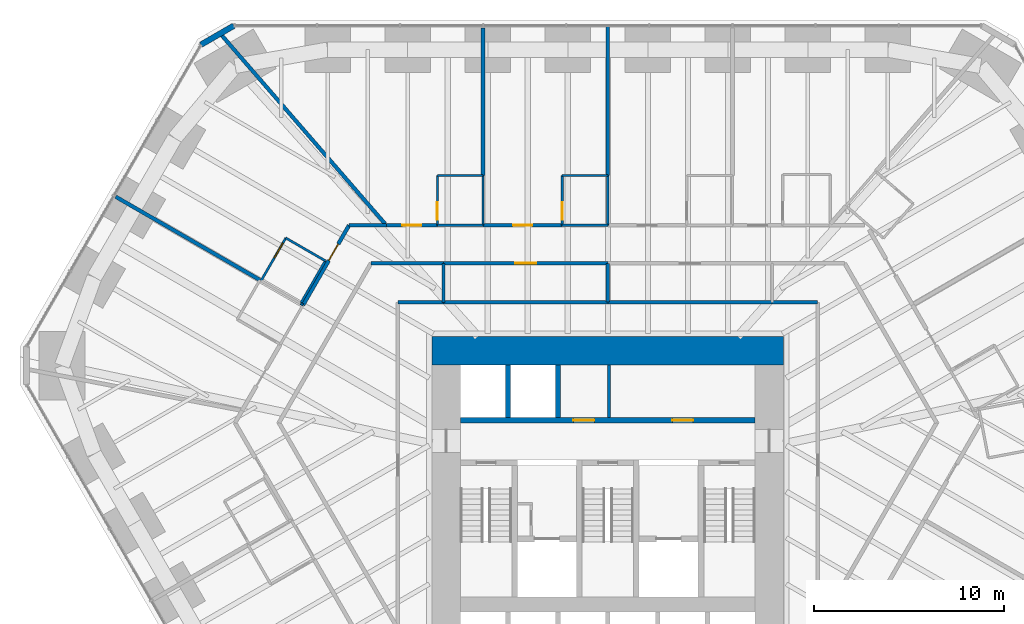
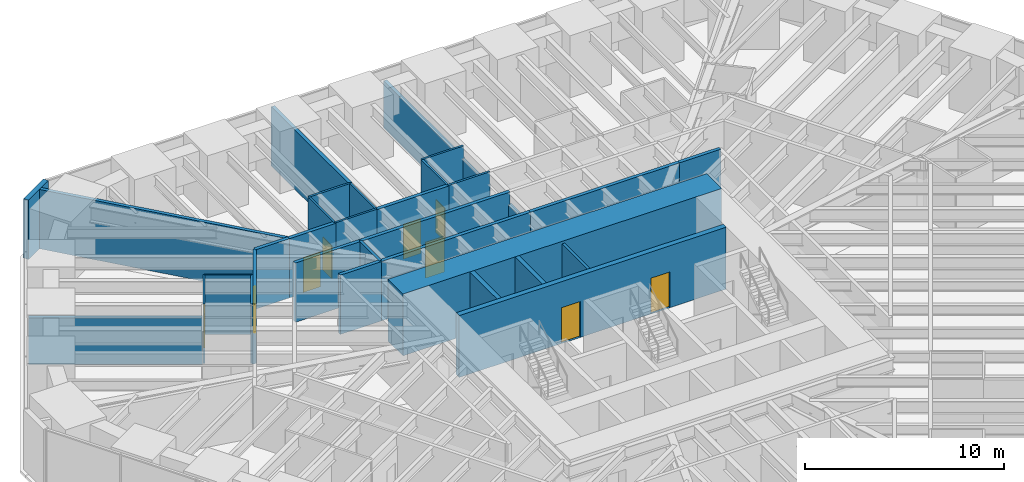
# One storey, part 14 of 17: 34 walls, 9 doors, 9 openings.
"""IFC4 building model written with IfcOpenShell, lengths in metres."""

import ifcopenshell
import ifcopenshell.guid

model = None  # the IFC model being written
_history = None  # IfcOwnerHistory: only IFC2X3 demands one
_inside = {}  # id of a spatial element -> (the spatial element, [elements in it])
_under = {}  # id of a project, library or spatial element -> (it, [spatial elements below it])
_declared = {}  # id of a project -> (the project, [libraries it declares])
_typed = {}  # id of a type object -> (the type object, [elements of that type])
_made_of = {}  # id of a material, layer set ... -> (it, [elements and type objects made of it])


def new_model(schema):
    """Start an empty IFC model of exactly this schema.

    Asked for "IFC4X3", IfcOpenShell would pick the latest addendum, in which some entities
    have other attributes; the version numbers below select the first issue.
    IFC2X3 requires an IfcOwnerHistory on every rooted entity: one is made here for all.
    """
    global model, _history
    if schema == "IFC4X3":
        model = ifcopenshell.file(schema_version=(4, 3, 0, 0))
    else:
        model = ifcopenshell.file(schema=schema)
    _inside.clear()
    _under.clear()
    _declared.clear()
    _typed.clear()
    _made_of.clear()
    _history = None
    if model.schema == "IFC2X3":
        org = make("IfcOrganization", Name="unknown")
        user = make(
            "IfcPersonAndOrganization",
            ThePerson=make("IfcPerson", FamilyName="unknown"),
            TheOrganization=org,
        )
        app = make(
            "IfcApplication",
            ApplicationDeveloper=org,
            Version="unknown",
            ApplicationFullName="unknown",
            ApplicationIdentifier="unknown",
        )
        _history = make(
            "IfcOwnerHistory",
            OwningUser=user,
            OwningApplication=app,
            ChangeAction="ADDED",
            CreationDate=0,
        )
    return model


def make(cls, **values):
    """One entity of the class cls with the attributes given. An attribute that is None is left unset."""
    return model.create_entity(
        cls, **{name: value for name, value in values.items() if value is not None}
    )


def rooted(cls, **values):
    """An entity with a GlobalId (a new one), such as an element, a storey or a relation."""
    return make(cls, GlobalId=ifcopenshell.guid.new(), OwnerHistory=_history, **values)


def si_unit(unit_type, name, prefix=None):
    """IfcSIUnit, for example si_unit("LENGTHUNIT", "METRE", prefix="MILLI")."""
    return make("IfcSIUnit", UnitType=unit_type, Prefix=prefix, Name=name)


def assignment(units):
    """IfcUnitAssignment: the units of a project."""
    return None if units is None else make("IfcUnitAssignment", Units=units)


def point(xyz):
    """IfcCartesianPoint."""
    return None if xyz is None else make("IfcCartesianPoint", Coordinates=xyz)


def direction(xyz):
    """IfcDirection."""
    return None if xyz is None else make("IfcDirection", DirectionRatios=xyz)


def frame(location, z_axis=None, x_axis=None):
    """IfcAxis2Placement3D, a coordinate frame: its origin and axes. An axis left out is left unset."""
    return make(
        "IfcAxis2Placement3D",
        Location=point(location),
        Axis=direction(z_axis),
        RefDirection=direction(x_axis),
    )


def frame_2d(location, x_axis=None):
    """IfcAxis2Placement2D, a coordinate frame in the plane: its origin and x axis."""
    return make(
        "IfcAxis2Placement2D", Location=point(location), RefDirection=direction(x_axis)
    )


def origin():
    """The frame at (0, 0, 0) with its axes left unset."""
    return frame((0.0, 0.0, 0.0))


def place(relative_to, where):
    """IfcLocalPlacement: puts the frame where relative to a parent placement (None: the world)."""
    return make(
        "IfcLocalPlacement", PlacementRelTo=relative_to, RelativePlacement=where
    )


def context(
    kind, dimensions, precision=None, world=None, true_north=None, identifier=None
):
    """IfcGeometricRepresentationContext, for example the 3D "Model" context."""
    return make(
        "IfcGeometricRepresentationContext",
        ContextIdentifier=identifier,
        ContextType=kind,
        CoordinateSpaceDimension=dimensions,
        Precision=precision,
        WorldCoordinateSystem=world,
        TrueNorth=true_north,
    )


def subcontext(parent, identifier, kind, view, scale=None):
    """IfcGeometricRepresentationSubContext, for example "Body" below "Model"."""
    return make(
        "IfcGeometricRepresentationSubContext",
        ContextIdentifier=identifier,
        ContextType=kind,
        ParentContext=parent,
        TargetScale=scale,
        TargetView=view,
    )


def project(units=None, contexts=None):
    """IfcProject with its units and contexts."""
    return rooted(
        "IfcProject",
        Name="project",
        RepresentationContexts=contexts,
        UnitsInContext=assignment(units),
    )


def spatial(cls, under=None, at=None, **own):
    """A site, building, storey or space (cls), placed at a placement, below another one or the project."""
    s = rooted(cls, ObjectPlacement=at, **own)
    if under is not None:
        _under.setdefault(under.id(), (under, []))[1].append(s)
    return s


def profile(cls, at=None, kind="AREA", **sizes):
    """A parametric profile (cls). Its sizes go by their IFC names, for example OverallWidth=200.0."""
    return make(cls, ProfileType=kind, Position=at, **sizes)


def rectangle(**sizes):
    """IfcRectangleProfileDef."""
    return profile("IfcRectangleProfileDef", **sizes)


def extrude(swept, where, along, depth):
    """IfcExtrudedAreaSolid: the profile swept, set in the frame where, extruded along a direction by depth."""
    return make(
        "IfcExtrudedAreaSolid",
        SweptArea=swept,
        Position=where,
        ExtrudedDirection=direction(along),
        Depth=depth,
    )


def shape(context_of_items, identifier, shape_type, items):
    """IfcShapeRepresentation: the items that make up one representation, for example the "Body"."""
    return make(
        "IfcShapeRepresentation",
        ContextOfItems=context_of_items,
        RepresentationIdentifier=identifier,
        RepresentationType=shape_type,
        Items=items,
    )


def material(Name=None, Category=None):
    """IfcMaterial."""
    return make("IfcMaterial", Name=Name, Category=Category)


def layer(
    of_material, thickness, ventilated=None, Name=None, Category=None, Priority=None
):
    """IfcMaterialLayer: one layer of a wall or slab, of a material (None: an air gap)."""
    return make(
        "IfcMaterialLayer",
        Material=of_material,
        LayerThickness=thickness,
        IsVentilated=ventilated,
        Name=Name,
        Category=Category,
        Priority=Priority,
    )


def layer_set(layers, Name=None):
    """IfcMaterialLayerSet."""
    return make("IfcMaterialLayerSet", MaterialLayers=layers, LayerSetName=Name)


def made_of(thing, what):
    """Note that an element or type object is made of a material, layer set ...; save() writes the relation."""
    if what is not None:
        _made_of.setdefault(what.id(), (what, []))[1].append(thing)
    return thing


def type_object(cls, material=None, **own):
    """A type object (cls), such as IfcWallType, which elements share."""
    return made_of(rooted(cls, **own), material)


def element(
    cls,
    number,
    at=None,
    inside=None,
    cuts=None,
    type_object=None,
    material=None,
    context=None,
    identifier="Body",
    shape_type=None,
    held_by="IfcProductDefinitionShape",
    body=None,
    shapes=None,
    **own,
):
    """One element of the class cls, such as IfcWall. Its Tag is "e" and its number.

    at: its placement. inside: the storey or other place that contains it. cuts: it is an
    opening in that element (IfcRelVoidsElement). A single representation is given by context,
    identifier, shape_type and body (its items); several are given by shapes. held_by: the class
    of the entity that holds the representations. save() writes the other relations.
    """
    e = rooted(cls, Tag="e%d" % number, ObjectPlacement=at, **own)
    if body is not None:
        shapes = [shape(context, identifier, shape_type, body)]
    if shapes is not None:
        e.Representation = make(held_by, Representations=shapes)
    if inside is not None:
        _inside.setdefault(inside.id(), (inside, []))[1].append(e)
    if cuts is not None:
        rooted(
            "IfcRelVoidsElement", RelatingBuildingElement=cuts, RelatedOpeningElement=e
        )
    if type_object is not None:
        _typed.setdefault(type_object.id(), (type_object, []))[1].append(e)
    return made_of(e, material)


def fill(opening, filler):
    """IfcRelFillsElement: the door or window that sits in an opening."""
    return rooted(
        "IfcRelFillsElement",
        RelatingOpeningElement=opening,
        RelatedBuildingElement=filler,
    )


def aggregate(whole, parts):
    """IfcRelAggregates: a whole, such as a stair, and the parts it consists of."""
    return rooted("IfcRelAggregates", RelatingObject=whole, RelatedObjects=parts)


def save(model, path):
    """Write the relations noted so far, then the file.

    IfcRelAggregates (storeys below a building ...), IfcRelContainedInSpatialStructure (elements
    in a storey), IfcRelDefinesByType, IfcRelAssociatesMaterial and IfcRelDeclares: one each for
    every whole, place, type object, material and project.
    """
    for whole, parts in _under.values():
        aggregate(whole, parts)
    for where, things in _inside.values():
        rooted(
            "IfcRelContainedInSpatialStructure",
            RelatedElements=things,
            RelatingStructure=where,
        )
    for kind, things in _typed.values():
        rooted("IfcRelDefinesByType", RelatedObjects=things, RelatingType=kind)
    for what, things in _made_of.values():
        rooted("IfcRelAssociatesMaterial", RelatedObjects=things, RelatingMaterial=what)
    for by, libraries in _declared.values():
        rooted("IfcRelDeclares", RelatingContext=by, RelatedDefinitions=libraries)
    model.write(path)


model = new_model("IFC4")

# Units and contexts
model_context = context("Model", 3, precision=1e-05, world=origin(), true_north=direction((0.0, 1.0)))
body_context = subcontext(model_context, "Body", "Model", "MODEL_VIEW")
ifc_project = project(units=[si_unit("LENGTHUNIT", "METRE"), si_unit("AREAUNIT", "SQUARE_METRE"), si_unit("VOLUMEUNIT", "CUBIC_METRE"), si_unit("PLANEANGLEUNIT", "RADIAN"), si_unit("MASSUNIT", "GRAM", prefix="KILO")], contexts=[model_context])

# Site, building, storey
site_placement = place(None, origin())
site = spatial("IfcSite", under=ifc_project, at=site_placement, CompositionType="ELEMENT")
building_placement = place(site_placement, origin())
building = spatial("IfcBuilding", under=site, at=building_placement, Name="Sandreach Pilgrim Tower", CompositionType="ELEMENT")
storey_placement = place(building_placement, frame((0.0, 0.0, 49.60009765625)))
storey = spatial("IfcBuildingStorey", under=building, at=storey_placement, Name="L11", CompositionType="ELEMENT", Elevation=49.60009765625)

# Walls
ifc_material_1 = material(Name="Gypsum board on steel studs", Category="steel")
ifc_layer_1 = layer(ifc_material_1, 0.14990234375)
ifc_layer_set_1 = layer_set([ifc_layer_1], Name="Back of house wall 150")
wall_type_1 = type_object("IfcWallType", Name="Back of house wall 150", PredefinedType="PARTITIONING", material=ifc_layer_set_1)
wall_1_placement = place(storey_placement, frame((-8.64990234375, 11.449951171875, 0.0), z_axis=(0.0, 0.0, 1.0), x_axis=(0.0, -1.0, 0.0)))
element("IfcWall", 1, at=wall_1_placement, inside=storey, type_object=wall_type_1, Name="Back of house wall L11-041", PredefinedType="PARTITIONING", context=body_context, shape_type="SweptSolid", body=[
    extrude(rectangle(XDim=2.050048828125, YDim=0.14990234375, at=frame_2d((1.02490234375, 0.0))), origin(), (0.0, 0.0, 1.0), 3.639892578125),
])
wall_2_placement = place(storey_placement, frame((0.0625, 3.35009765625, 0.0), z_axis=(0.0, 0.0, 1.0), x_axis=(0.0, 1.0, 0.0)))
element("IfcWall", 2, at=wall_2_placement, inside=storey, type_object=wall_type_1, Name="Core room partition L11 1", PredefinedType="PARTITIONING", context=body_context, shape_type="SweptSolid", body=[
    extrude(rectangle(XDim=2.75, YDim=0.14990234375, at=frame_2d((1.375, 0.0))), origin(), (0.0, 0.0, 1.0), 3.639892578125),
])

# Wall, opening, door
ifc_material_2 = material(Name="Moisture-resistant gypsum board on steel studs", Category="steel")
ifc_layer_2 = layer(ifc_material_2, 0.1201171875)
ifc_layer_set_2 = layer_set([ifc_layer_2], Name="Bathroom partition 120")
wall_type_2 = type_object("IfcWallType", Name="Bathroom partition 120", PredefinedType="PARTITIONING", material=ifc_layer_set_2)
wall_3_placement = place(storey_placement, frame((-16.93994140625, 12.780029296875, 0.0), z_axis=(0.0, 0.0, 1.0), x_axis=(-0.500291685314, -0.865856933682, 0.0)))
wall_3 = element("IfcWall", 3, at=wall_3_placement, inside=storey, type_object=wall_type_2, Name="Bathroom partition L11-018", PredefinedType="PARTITIONING", context=body_context, shape_type="SweptSolid", body=[
    extrude(rectangle(XDim=2.5986328125, YDim=0.1201171875, at=frame_2d((1.29931640625, 0.0))), origin(), (0.0, 0.0, 1.0), 3.639892578125),
])
opening_1_placement = place(wall_3_placement, frame((0.300048828125, 0.0, 0.0)))
opening_1 = element("IfcOpeningElement", 4, at=opening_1_placement, cuts=wall_3, Name="Opening D09-16B", PredefinedType="OPENING", context=body_context, shape_type="SweptSolid", body=[
    extrude(rectangle(XDim=0.89990234375, YDim=2.030029296875, at=frame_2d((0.449951171875, 1.01513671875))), frame((0.0, 0.06005859375, 0.0), z_axis=(0.0, -1.0, 0.0), x_axis=(1.0, 0.0, 0.0)), (0.0, 0.0, 1.0), 0.1201171875),
])
ifc_material_3 = material(Name="Timber door, steel frame", Category="steel")
door_type_1 = type_object("IfcDoorType", Name="Bathroom door", OperationType="SINGLE_SWING_LEFT", PredefinedType="DOOR", material=ifc_material_3)
door_1_placement = place(opening_1_placement, origin())
door_1 = element("IfcDoor", 5, at=door_1_placement, inside=storey, type_object=door_type_1, Name="Door 1116B", OperationType="SINGLE_SWING_LEFT", OverallHeight=2.030029296875, OverallWidth=0.89990234375, PredefinedType="DOOR", context=body_context, shape_type="SweptSolid", body=[
    extrude(rectangle(XDim=0.89990234375, YDim=2.030029296875, at=frame_2d((0.449951171875, 1.01513671875))), frame((0.0, 0.02490234375, 0.0), z_axis=(0.0, -1.0, 0.0), x_axis=(1.0, 0.0, 0.0)), (0.0, 0.0, 1.0), 0.050048828125),
])
fill(opening_1, door_1)

# Walls
wall_4_placement = place(storey_placement, frame((-16.159912109375, 9.330078125, 0.0), z_axis=(0.0, 0.0, 1.0), x_axis=(0.880098986228, -0.47479024257, 0.0)))
element("IfcWall", 6, at=wall_4_placement, inside=storey, type_object=wall_type_2, Name="Bathroom partition L11-022", PredefinedType="PARTITIONING", context=body_context, shape_type="SweptSolid", body=[
    extrude(rectangle(XDim=0.1474609375, YDim=0.1201171875, at=frame_2d((0.07373046875, 0.0))), origin(), (0.0, 0.0, 1.0), 3.639892578125),
])
wall_5_placement = place(storey_placement, frame((-16.159912109375, 9.330078125, 0.0), z_axis=(0.0, 0.0, 1.0), x_axis=(0.500291685314, 0.865856933682, 0.0)))
element("IfcWall", 7, at=wall_5_placement, inside=storey, type_object=wall_type_2, Name="Bathroom partition L11-023", PredefinedType="PARTITIONING", context=body_context, shape_type="SweptSolid", body=[
    extrude(rectangle(XDim=2.5986328125, YDim=0.1201171875, at=frame_2d((1.29931640625, 0.0))), origin(), (0.0, 0.0, 1.0), 3.639892578125),
])
wall_6_placement = place(storey_placement, frame((-14.860107421875, 11.580078125, 0.0), z_axis=(0.0, 0.0, 1.0), x_axis=(-0.866177122335, 0.499737123639, 0.0)))
element("IfcWall", 8, at=wall_6_placement, inside=storey, type_object=wall_type_2, Name="Bathroom partition L11-026", PredefinedType="PARTITIONING", context=body_context, shape_type="SweptSolid", body=[
    extrude(rectangle(XDim=2.401123046875, YDim=0.1201171875, at=frame_2d((1.20068359375, 0.0))), origin(), (0.0, 0.0, 1.0), 3.639892578125),
])

# Wall, opening, door
wall_7_placement = place(storey_placement, frame((-8.9599609375, 16.070068359375, 0.0), z_axis=(0.0, 0.0, 1.0), x_axis=(0.0, -1.0, 0.0)))
wall_7 = element("IfcWall", 9, at=wall_7_placement, inside=storey, type_object=wall_type_2, Name="Bathroom partition L11-038", PredefinedType="PARTITIONING", context=body_context, shape_type="SweptSolid", body=[
    extrude(rectangle(XDim=2.6201171875, YDim=0.1201171875, at=frame_2d((1.31005859375, 0.0))), origin(), (0.0, 0.0, 1.0), 3.639892578125),
])
opening_2_placement = place(wall_7_placement, frame((1.419921875, 0.0, 0.0)))
opening_2 = element("IfcOpeningElement", 10, at=opening_2_placement, cuts=wall_7, Name="Opening D09-01B", PredefinedType="OPENING", context=body_context, shape_type="SweptSolid", body=[
    extrude(rectangle(XDim=0.89990234375, YDim=2.030029296875, at=frame_2d((0.449951171875, 1.01513671875))), frame((0.0, 0.06005859375, 0.0), z_axis=(0.0, -1.0, 0.0), x_axis=(1.0, 0.0, 0.0)), (0.0, 0.0, 1.0), 0.1201171875),
])
door_2_placement = place(opening_2_placement, origin())
door_2 = element("IfcDoor", 11, at=door_2_placement, inside=storey, type_object=door_type_1, Name="Door 1101B", OperationType="SINGLE_SWING_RIGHT", OverallHeight=2.030029296875, OverallWidth=0.89990234375, PredefinedType="DOOR", context=body_context, shape_type="SweptSolid", body=[
    extrude(rectangle(XDim=0.89990234375, YDim=2.030029296875, at=frame_2d((0.449951171875, 1.01513671875))), frame((0.0, 0.02490234375, 0.0), z_axis=(0.0, -1.0, 0.0), x_axis=(1.0, 0.0, 0.0)), (0.0, 0.0, 1.0), 0.050048828125),
])
fill(opening_2, door_2)

# Walls
for number, where, z_axis, x_axis, name in (
    (12, (-6.56005859375, 13.449951171875, 0.0), (0.0, 0.0, 1.0), (-1.0, 0.0, 0.0), "Bathroom partition L11-044"),
    (13, (-6.56005859375, 16.070068359375, 0.0), (0.0, 0.0, 1.0), (-1.0, 0.0, 0.0), "Bathroom partition L11-045"),
):
    element("IfcWall", number, at=place(storey_placement, frame(where, z_axis=z_axis, x_axis=x_axis)), inside=storey, type_object=wall_type_2, Name=name, PredefinedType="PARTITIONING", context=body_context, shape_type="SweptSolid", body=[
        extrude(rectangle(XDim=2.39990234375, YDim=0.1201171875, at=frame_2d((1.199951171875, 0.0))), origin(), (0.0, 0.0, 1.0), 3.639892578125),
    ])
wall_8_placement = place(storey_placement, frame((-6.56005859375, 16.070068359375, 0.0), z_axis=(0.0, 0.0, 1.0), x_axis=(0.0, -1.0, 0.0)))
element("IfcWall", 14, at=wall_8_placement, inside=storey, type_object=wall_type_2, Name="Bathroom partition L11-046", PredefinedType="PARTITIONING", context=body_context, shape_type="SweptSolid", body=[
    extrude(rectangle(XDim=2.6201171875, YDim=0.1201171875, at=frame_2d((1.31005859375, 0.0))), origin(), (0.0, 0.0, 1.0), 3.639892578125),
])

# Wall, opening, door
wall_9_placement = place(storey_placement, frame((-2.39990234375, 16.070068359375, 0.0), z_axis=(0.0, 0.0, 1.0), x_axis=(0.0, -1.0, 0.0)))
wall_9 = element("IfcWall", 15, at=wall_9_placement, inside=storey, type_object=wall_type_2, Name="Bathroom partition L11-055", PredefinedType="PARTITIONING", context=body_context, shape_type="SweptSolid", body=[
    extrude(rectangle(XDim=2.6201171875, YDim=0.1201171875, at=frame_2d((1.31005859375, 0.0))), origin(), (0.0, 0.0, 1.0), 3.639892578125),
])
opening_3_placement = place(wall_9_placement, frame((1.419921875, 0.0, 0.0)))
opening_3 = element("IfcOpeningElement", 16, at=opening_3_placement, cuts=wall_9, Name="Opening D09-02B", PredefinedType="OPENING", context=body_context, shape_type="SweptSolid", body=[
    extrude(rectangle(XDim=0.89990234375, YDim=2.030029296875, at=frame_2d((0.449951171875, 1.01513671875))), frame((0.0, 0.06005859375, 0.0), z_axis=(0.0, -1.0, 0.0), x_axis=(1.0, 0.0, 0.0)), (0.0, 0.0, 1.0), 0.1201171875),
])
door_3_placement = place(opening_3_placement, origin())
door_3 = element("IfcDoor", 17, at=door_3_placement, inside=storey, type_object=door_type_1, Name="Door 1102B", OperationType="SINGLE_SWING_RIGHT", OverallHeight=2.030029296875, OverallWidth=0.89990234375, PredefinedType="DOOR", context=body_context, shape_type="SweptSolid", body=[
    extrude(rectangle(XDim=0.89990234375, YDim=2.030029296875, at=frame_2d((0.449951171875, 1.01513671875))), frame((0.0, 0.02490234375, 0.0), z_axis=(0.0, -1.0, 0.0), x_axis=(1.0, 0.0, 0.0)), (0.0, 0.0, 1.0), 0.050048828125),
])
fill(opening_3, door_3)

# Walls
for number, where, z_axis, x_axis, name in (
    (18, (0.0, 13.449951171875, 0.0), (0.0, 0.0, 1.0), (-1.0, 0.0, 0.0), "Bathroom partition L11-066"),
    (19, (0.0, 16.070068359375, 0.0), (0.0, 0.0, 1.0), (-1.0, 0.0, 0.0), "Bathroom partition L11-067"),
):
    element("IfcWall", number, at=place(storey_placement, frame(where, z_axis=z_axis, x_axis=x_axis)), inside=storey, type_object=wall_type_2, Name=name, PredefinedType="PARTITIONING", context=body_context, shape_type="SweptSolid", body=[
        extrude(rectangle(XDim=2.39990234375, YDim=0.1201171875, at=frame_2d((1.199951171875, 0.0))), origin(), (0.0, 0.0, 1.0), 3.639892578125),
    ])
wall_10_placement = place(storey_placement, frame((0.0, 16.070068359375, 0.0), z_axis=(0.0, 0.0, 1.0), x_axis=(0.0, -1.0, 0.0)))
element("IfcWall", 20, at=wall_10_placement, inside=storey, type_object=wall_type_2, Name="Bathroom partition L11-068", PredefinedType="PARTITIONING", context=body_context, shape_type="SweptSolid", body=[
    extrude(rectangle(XDim=2.6201171875, YDim=0.1201171875, at=frame_2d((1.31005859375, 0.0))), origin(), (0.0, 0.0, 1.0), 2.8779296875),
])

# Wall, openings, doors
ifc_material_4 = material(Name="Concrete 10000 psi", Category="concrete")
ifc_layer_3 = layer(ifc_material_4, 0.300048828125)
ifc_layer_set_3 = layer_set([ifc_layer_3], Name="Core inner wall 300")
wall_type_3 = type_object("IfcWallType", Name="Core inner wall 300", PredefinedType="SHEAR", material=ifc_layer_set_3)
wall_11_placement = place(storey_placement, frame((-7.75, 3.199951171875, 0.0), z_axis=(0.0, 0.0, 1.0), x_axis=(1.0, 0.0, 0.0)))
wall_11 = element("IfcWall", 21, at=wall_11_placement, inside=storey, type_object=wall_type_3, Name="Core wall PN L11", PredefinedType="SHEAR", context=body_context, shape_type="SweptSolid", body=[
    extrude(rectangle(XDim=15.5, YDim=0.300048828125, at=frame_2d((7.75, 0.0))), origin(), (0.0, 0.0, 1.0), 3.7998046875),
])
opening_4_placement = place(wall_11_placement, frame((5.94384765625, 0.0, 0.0)))
opening_4 = element("IfcOpeningElement", 22, at=opening_4_placement, cuts=wall_11, Name="Opening D11L", PredefinedType="OPENING", context=body_context, shape_type="SweptSolid", body=[
    extrude(rectangle(XDim=1.10009765625, YDim=2.199951171875, at=frame_2d((0.550048828125, 1.10009765625))), frame((0.0, 0.14990234375, 0.0), z_axis=(0.0, -1.0, 0.0), x_axis=(1.0, 0.0, 0.0)), (0.0, 0.0, 1.0), 0.300048828125),
])
opening_5_placement = place(wall_11_placement, frame((11.143798828125, 0.0, 0.0)))
opening_5 = element("IfcOpeningElement", 23, at=opening_5_placement, cuts=wall_11, Name="Opening D11L", PredefinedType="OPENING", context=body_context, shape_type="SweptSolid", body=[
    extrude(rectangle(XDim=1.10009765625, YDim=2.199951171875, at=frame_2d((0.550048828125, 1.10009765625))), frame((0.0, 0.14990234375, 0.0), z_axis=(0.0, -1.0, 0.0), x_axis=(1.0, 0.0, 0.0)), (0.0, 0.0, 1.0), 0.300048828125),
])
ifc_material_5 = material(Name="Steel door and frame, smoke seals", Category="steel")
door_type_2 = type_object("IfcDoorType", Name="Core room door", OperationType="SINGLE_SWING_LEFT", PredefinedType="DOOR", material=ifc_material_5)
door_4_placement = place(opening_4_placement, origin())
door_4 = element("IfcDoor", 24, at=door_4_placement, inside=storey, type_object=door_type_2, Name="Door linen and housekeeping store 11K1", OperationType="SINGLE_SWING_LEFT", OverallHeight=2.199951171875, OverallWidth=1.10009765625, PredefinedType="DOOR", context=body_context, shape_type="SweptSolid", body=[
    extrude(rectangle(XDim=1.10009765625, YDim=2.199951171875, at=frame_2d((0.550048828125, 1.10009765625))), frame((0.0, 0.02490234375, 0.0), z_axis=(0.0, -1.0, 0.0), x_axis=(1.0, 0.0, 0.0)), (0.0, 0.0, 1.0), 0.050048828125),
])
fill(opening_4, door_4)
door_5_placement = place(opening_5_placement, origin())
door_5 = element("IfcDoor", 25, at=door_5_placement, inside=storey, type_object=door_type_2, Name="Door cleaners store 11K2", OperationType="SINGLE_SWING_RIGHT", OverallHeight=2.199951171875, OverallWidth=1.10009765625, PredefinedType="DOOR", context=body_context, shape_type="SweptSolid", body=[
    extrude(rectangle(XDim=1.10009765625, YDim=2.199951171875, at=frame_2d((0.550048828125, 1.10009765625))), frame((0.0, 0.02490234375, 0.0), z_axis=(0.0, -1.0, 0.0), x_axis=(1.0, 0.0, 0.0)), (0.0, 0.0, 1.0), 0.050048828125),
])
fill(opening_5, door_5)

# Wall
ifc_material_6 = material(Name="Concrete 10000 psi", Category="concrete")
ifc_layer_4 = layer(ifc_material_6, 1.5)
ifc_layer_set_4 = layer_set([ifc_layer_4], Name="Core wall 1500")
wall_type_4 = type_object("IfcWallType", Name="Core wall 1500", PredefinedType="SHEAR", material=ifc_layer_set_4)
wall_12_placement = place(storey_placement, frame((-9.25, 6.85009765625, 0.0), z_axis=(0.0, 0.0, 1.0), x_axis=(1.0, 0.0, 0.0)))
element("IfcWall", 26, at=wall_12_placement, inside=storey, type_object=wall_type_4, Name="Core wall N L11", PredefinedType="SHEAR", context=body_context, shape_type="SweptSolid", body=[
    extrude(rectangle(XDim=18.5, YDim=1.5, at=frame_2d((9.25, 0.0))), origin(), (0.0, 0.0, 1.0), 3.7998046875),
])

# Wall, opening, door
ifc_material_7 = material(Name="Gypsum board on steel studs, two layers each side", Category="steel")
ifc_layer_5 = layer(ifc_material_7, 0.199951171875)
ifc_layer_set_5 = layer_set([ifc_layer_5], Name="Corridor wall 200")
wall_type_5 = type_object("IfcWallType", Name="Corridor wall 200", PredefinedType="PARTITIONING", material=ifc_layer_set_5)
wall_13_placement = place(storey_placement, frame((-16.029296875, 9.259521484375, 0.0), z_axis=(0.0, 0.0, 1.0), x_axis=(0.499975779801, 0.866039386871, 0.0)))
wall_13 = element("IfcWall", 27, at=wall_13_placement, inside=storey, type_object=wall_type_5, Name="Corridor wall L11-024", PredefinedType="PARTITIONING", context=body_context, shape_type="SweptSolid", body=[
    extrude(rectangle(XDim=4.838623046875, YDim=0.199951171875, at=frame_2d((2.41943359375, 0.0))), origin(), (0.0, 0.0, 1.0), 3.639892578125),
])
opening_6_placement = place(wall_13_placement, frame((2.699951171875, 0.0, 0.0)))
opening_6 = element("IfcOpeningElement", 28, at=opening_6_placement, cuts=wall_13, Name="Opening D10-16", PredefinedType="OPENING", context=body_context, shape_type="SweptSolid", body=[
    extrude(rectangle(XDim=1.0, YDim=2.1298828125, at=frame_2d((0.5, 1.06494140625))), frame((0.0, 0.10009765625, 0.0), z_axis=(0.0, -1.0, 0.0), x_axis=(1.0, 0.0, 0.0)), (0.0, 0.0, 1.0), 0.199951171875),
])
ifc_material_8 = material(Name="Steel door and frame", Category="steel")
door_type_3 = type_object("IfcDoorType", Name="Guest room entry door", OperationType="SINGLE_SWING_LEFT", PredefinedType="DOOR", material=ifc_material_8)
door_6_placement = place(opening_6_placement, origin())
door_6 = element("IfcDoor", 29, at=door_6_placement, inside=storey, type_object=door_type_3, Name="Door 1116", OperationType="SINGLE_SWING_RIGHT", OverallHeight=2.1298828125, OverallWidth=1.0, PredefinedType="DOOR", context=body_context, shape_type="SweptSolid", body=[
    extrude(rectangle(XDim=1.0, YDim=2.1298828125, at=frame_2d((0.5, 1.06494140625))), frame((0.0, 0.02490234375, 0.0), z_axis=(0.0, -1.0, 0.0), x_axis=(1.0, 0.0, 0.0)), (0.0, 0.0, 1.0), 0.050048828125),
])
fill(opening_6, door_6)

# Walls
wall_14_placement = place(storey_placement, frame((-12.4599609375, 11.449951171875, 0.0), z_axis=(0.0, 0.0, 1.0), x_axis=(1.0, 0.0, 0.0)))
element("IfcWall", 30, at=wall_14_placement, inside=storey, type_object=wall_type_5, Name="Corridor wall L11-027", PredefinedType="PARTITIONING", context=body_context, shape_type="SweptSolid", body=[
    extrude(rectangle(XDim=3.81005859375, YDim=0.199951171875, at=frame_2d((1.905029296875, 0.0))), origin(), (0.0, 0.0, 1.0), 3.639892578125),
])
wall_15_placement = place(storey_placement, frame((-11.64990234375, 13.449951171875, 0.0), z_axis=(0.0, 0.0, 1.0), x_axis=(-1.0, 0.0, 0.0)))
element("IfcWall", 31, at=wall_15_placement, inside=storey, type_object=wall_type_5, Name="Corridor wall L11-031", PredefinedType="PARTITIONING", context=body_context, shape_type="SweptSolid", body=[
    extrude(rectangle(XDim=1.960205078125, YDim=0.199951171875, at=frame_2d((0.97998046875, 0.0))), origin(), (0.0, 0.0, 1.0), 3.639892578125),
])

# Wall, opening, door
wall_16_placement = place(storey_placement, frame((-8.9599609375, 13.449951171875, 0.0), z_axis=(0.0, 0.0, 1.0), x_axis=(-1.0, 0.0, 0.0)))
wall_16 = element("IfcWall", 32, at=wall_16_placement, inside=storey, type_object=wall_type_5, Name="Corridor wall L11-037", PredefinedType="PARTITIONING", context=body_context, shape_type="SweptSolid", body=[
    extrude(rectangle(XDim=2.68994140625, YDim=0.199951171875, at=frame_2d((1.344970703125, 0.0))), origin(), (0.0, 0.0, 1.0), 3.639892578125),
])
opening_7_placement = place(wall_16_placement, frame((0.844970703125, 0.0, 0.0)))
opening_7 = element("IfcOpeningElement", 33, at=opening_7_placement, cuts=wall_16, Name="Opening D10-01", PredefinedType="OPENING", context=body_context, shape_type="SweptSolid", body=[
    extrude(rectangle(XDim=1.0, YDim=2.1298828125, at=frame_2d((0.5, 1.06494140625))), frame((0.0, 0.10009765625, 0.0), z_axis=(0.0, -1.0, 0.0), x_axis=(1.0, 0.0, 0.0)), (0.0, 0.0, 1.0), 0.199951171875),
])
door_7_placement = place(opening_7_placement, origin())
door_7 = element("IfcDoor", 34, at=door_7_placement, inside=storey, type_object=door_type_3, Name="Door 1101", OperationType="SINGLE_SWING_LEFT", OverallHeight=2.1298828125, OverallWidth=1.0, PredefinedType="DOOR", context=body_context, shape_type="SweptSolid", body=[
    extrude(rectangle(XDim=1.0, YDim=2.1298828125, at=frame_2d((0.5, 1.06494140625))), frame((0.0, 0.02490234375, 0.0), z_axis=(0.0, -1.0, 0.0), x_axis=(1.0, 0.0, 0.0)), (0.0, 0.0, 1.0), 0.050048828125),
])
fill(opening_7, door_7)

# Wall
wall_17_placement = place(storey_placement, frame((-8.64990234375, 9.39990234375, 0.0), z_axis=(0.0, 0.0, 1.0), x_axis=(-1.0, 0.0, 0.0)))
element("IfcWall", 35, at=wall_17_placement, inside=storey, type_object=wall_type_5, Name="Corridor wall L11-040", PredefinedType="PARTITIONING", context=body_context, shape_type="SweptSolid", body=[
    extrude(rectangle(XDim=2.39013671875, YDim=0.199951171875, at=frame_2d((1.195068359375, 0.0))), origin(), (0.0, 0.0, 1.0), 3.639892578125),
])

# Wall, opening, door
wall_18_placement = place(storey_placement, frame((-8.64990234375, 11.449951171875, 0.0), z_axis=(0.0, 0.0, 1.0), x_axis=(1.0, 0.0, 0.0)))
wall_18 = element("IfcWall", 36, at=wall_18_placement, inside=storey, type_object=wall_type_5, Name="Corridor wall L11-042", PredefinedType="PARTITIONING", context=body_context, shape_type="SweptSolid", body=[
    extrude(rectangle(XDim=8.64990234375, YDim=0.199951171875, at=frame_2d((4.324951171875, 0.0))), origin(), (0.0, 0.0, 1.0), 3.639892578125),
])
opening_8_placement = place(wall_18_placement, frame((3.77490234375, 0.0, 0.0)))
opening_8 = element("IfcOpeningElement", 37, at=opening_8_placement, cuts=wall_18, Name="Opening D11H-M02", PredefinedType="OPENING", context=body_context, shape_type="SweptSolid", body=[
    extrude(rectangle(XDim=1.10009765625, YDim=2.199951171875, at=frame_2d((0.550048828125, 1.10009765625))), frame((0.0, 0.10009765625, 0.0), z_axis=(0.0, -1.0, 0.0), x_axis=(1.0, 0.0, 0.0)), (0.0, 0.0, 1.0), 0.199951171875),
])
ifc_material_9 = material(Name="Steel door and frame", Category="steel")
door_type_4 = type_object("IfcDoorType", Name="Back of house door", OperationType="SINGLE_SWING_LEFT", PredefinedType="DOOR", material=ifc_material_9)
door_8_placement = place(opening_8_placement, origin())
door_8 = element("IfcDoor", 38, at=door_8_placement, inside=storey, type_object=door_type_4, Name="Door 11M02", OperationType="SINGLE_SWING_LEFT", OverallHeight=2.199951171875, OverallWidth=1.10009765625, PredefinedType="DOOR", context=body_context, shape_type="SweptSolid", body=[
    extrude(rectangle(XDim=1.10009765625, YDim=2.199951171875, at=frame_2d((0.550048828125, 1.10009765625))), frame((0.0, 0.02490234375, 0.0), z_axis=(0.0, -1.0, 0.0), x_axis=(1.0, 0.0, 0.0)), (0.0, 0.0, 1.0), 0.050048828125),
])
fill(opening_8, door_8)

wall_19_placement = place(storey_placement, frame((-2.39990234375, 13.449951171875, 0.0), z_axis=(0.0, 0.0, 1.0), x_axis=(-1.0, 0.0, 0.0)))
wall_19 = element("IfcWall", 39, at=wall_19_placement, inside=storey, type_object=wall_type_5, Name="Corridor wall L11-054", PredefinedType="PARTITIONING", context=body_context, shape_type="SweptSolid", body=[
    extrude(rectangle(XDim=4.16015625, YDim=0.199951171875, at=frame_2d((2.080078125, 0.0))), origin(), (0.0, 0.0, 1.0), 3.639892578125),
])
opening_9_placement = place(wall_19_placement, frame((1.580078125, 0.0, 0.0)))
opening_9 = element("IfcOpeningElement", 40, at=opening_9_placement, cuts=wall_19, Name="Opening D10-02", PredefinedType="OPENING", context=body_context, shape_type="SweptSolid", body=[
    extrude(rectangle(XDim=1.0, YDim=2.1298828125, at=frame_2d((0.5, 1.06494140625))), frame((0.0, 0.10009765625, 0.0), z_axis=(0.0, -1.0, 0.0), x_axis=(1.0, 0.0, 0.0)), (0.0, 0.0, 1.0), 0.199951171875),
])
door_9_placement = place(opening_9_placement, origin())
door_9 = element("IfcDoor", 41, at=door_9_placement, inside=storey, type_object=door_type_3, Name="Door 1102", OperationType="SINGLE_SWING_LEFT", OverallHeight=2.1298828125, OverallWidth=1.0, PredefinedType="DOOR", context=body_context, shape_type="SweptSolid", body=[
    extrude(rectangle(XDim=1.0, YDim=2.1298828125, at=frame_2d((0.5, 1.06494140625))), frame((0.0, 0.02490234375, 0.0), z_axis=(0.0, -1.0, 0.0), x_axis=(1.0, 0.0, 0.0)), (0.0, 0.0, 1.0), 0.050048828125),
])
fill(opening_9, door_9)

# Walls
for number, where, z_axis, x_axis, name in (
    (42, (0.0, 9.39990234375, 0.0), (0.0, 0.0, 1.0), (-1.0, 0.0, 0.0), "Corridor wall L11-063"),
    (43, (8.64990234375, 9.39990234375, 0.0), (0.0, 0.0, 1.0), (-1.0, 0.0, 0.0), "Corridor wall L11-093"),
):
    element("IfcWall", number, at=place(storey_placement, frame(where, z_axis=z_axis, x_axis=x_axis)), inside=storey, type_object=wall_type_5, Name=name, PredefinedType="PARTITIONING", context=body_context, shape_type="SweptSolid", body=[
        extrude(rectangle(XDim=8.64990234375, YDim=0.199951171875, at=frame_2d((4.324951171875, 0.0))), origin(), (0.0, 0.0, 1.0), 3.639892578125),
    ])
wall_20_placement = place(storey_placement, frame((11.0400390625, 9.39990234375, 0.0), z_axis=(0.0, 0.0, 1.0), x_axis=(-1.0, 0.0, 0.0)))
element("IfcWall", 44, at=wall_20_placement, inside=storey, type_object=wall_type_5, Name="Corridor wall L11-102", PredefinedType="PARTITIONING", context=body_context, shape_type="SweptSolid", body=[
    extrude(rectangle(XDim=2.39013671875, YDim=0.199951171875, at=frame_2d((1.195068359375, 0.0))), origin(), (0.0, 0.0, 1.0), 3.639892578125),
])
ifc_material_10 = material(Name="Double steel stud acoustic wall, gypsum board", Category="steel")
ifc_layer_6 = layer(ifc_material_10, 0.199951171875)
ifc_layer_set_6 = layer_set([ifc_layer_6], Name="Party wall 200")
wall_type_6 = type_object("IfcWallType", Name="Party wall 200", PredefinedType="PARTITIONING", material=ifc_layer_set_6)
wall_21_placement = place(storey_placement, frame((-25.885986328125, 14.949951171875, 0.0), z_axis=(0.0, 0.0, 1.0), x_axis=(0.866018495177, -0.500011965869, 0.0)))
element("IfcWall", 45, at=wall_21_placement, inside=storey, type_object=wall_type_6, Name="Party wall L11-002", PredefinedType="PARTITIONING", context=body_context, shape_type="SweptSolid", body=[
    extrude(rectangle(XDim=8.759521484375, YDim=0.199951171875, at=frame_2d((4.3798828125, 0.0))), origin(), (0.0, 0.0, 1.0), 2.860107421875),
])
wall_22_placement = place(storey_placement, frame((-11.715576171875, 13.525634765625, 0.0), z_axis=(0.0, 0.0, 1.0), x_axis=(-0.654901100514, 0.755714594636, 0.0)))
element("IfcWall", 46, at=wall_22_placement, inside=storey, type_object=wall_type_6, Name="Party wall L11-030", PredefinedType="PARTITIONING", context=body_context, shape_type="SweptSolid", body=[
    extrude(rectangle(XDim=13.26123046875, YDim=0.199951171875, at=frame_2d((6.630615234375, 0.0))), origin(), (0.0, 0.0, 1.0), 3.639892578125),
])
wall_23_placement = place(storey_placement, frame((-6.56005859375, 23.830078125, 0.0), z_axis=(0.0, 0.0, 1.0), x_axis=(0.0, -1.0, 0.0)))
element("IfcWall", 47, at=wall_23_placement, inside=storey, type_object=wall_type_6, Name="Party wall L11-047", PredefinedType="PARTITIONING", context=body_context, shape_type="SweptSolid", body=[
    extrude(rectangle(XDim=7.760009765625, YDim=0.199951171875, at=frame_2d((3.8798828125, 0.0))), origin(), (0.0, 0.0, 1.0), 3.639892578125),
])
wall_24_placement = place(storey_placement, frame((0.0, 11.43994140625, 0.0), z_axis=(0.0, 0.0, 1.0), x_axis=(0.0, -1.0, 0.0)))
element("IfcWall", 48, at=wall_24_placement, inside=storey, type_object=wall_type_6, Name="Party wall L11-064", PredefinedType="PARTITIONING", context=body_context, shape_type="SweptSolid", body=[
    extrude(rectangle(XDim=2.02490234375, YDim=0.199951171875, at=frame_2d((1.012451171875, 0.0))), origin(), (0.0, 0.0, 1.0), 2.8779296875),
])
wall_25_placement = place(storey_placement, frame((0.0, 23.919921875, 0.0), z_axis=(0.0, 0.0, 1.0), x_axis=(0.0, -1.0, 0.0)))
element("IfcWall", 49, at=wall_25_placement, inside=storey, type_object=wall_type_6, Name="Party wall L11-069", PredefinedType="PARTITIONING", context=body_context, shape_type="SweptSolid", body=[
    extrude(rectangle(XDim=7.849853515625, YDim=0.199951171875, at=frame_2d((3.9248046875, 0.0))), origin(), (0.0, 0.0, 1.0), 2.8779296875),
])
ifc_material_11 = material(Name="Gypsum shaft wall on steel studs, two layers of shaft liner board", Category="steel")
ifc_layer_7 = layer(ifc_material_11, 0.25)
ifc_layer_set_7 = layer_set([ifc_layer_7], Name="Shaft partition 250")
wall_type_7 = type_object("IfcWallType", Name="Shaft partition 250", PredefinedType="PARTITIONING", material=ifc_layer_set_7)
for number, where, z_axis, x_axis, name in (
    (50, (-5.25, 3.35009765625, 0.0), (0.0, 0.0, 1.0), (0.0, 1.0, 0.0), "Shaft partition NS0 L11"),
    (51, (-2.625, 3.35009765625, 0.0), (0.0, 0.0, 1.0), (0.0, 1.0, 0.0), "Shaft partition NS1 L11"),
):
    element("IfcWall", number, at=place(storey_placement, frame(where, z_axis=z_axis, x_axis=x_axis)), inside=storey, type_object=wall_type_7, Name=name, PredefinedType="PARTITIONING", context=body_context, shape_type="SweptSolid", body=[
        extrude(rectangle(XDim=2.75, YDim=0.25, at=frame_2d((1.375, 0.0))), origin(), (0.0, 0.0, 1.0), 3.7998046875),
    ])
ifc_material_12 = material(Name="Terracotta rainscreen on concrete", Category="masonry")
ifc_layer_8 = layer(ifc_material_12, 0.300048828125)
ifc_layer_set_8 = layer_set([ifc_layer_8], Name="Terracotta chamfer pier")
wall_type_8 = type_object("IfcWallType", Name="Terracotta chamfer pier", PredefinedType="SOLIDWALL", material=ifc_layer_set_8)
wall_26_placement = place(storey_placement, frame((-21.404052734375, 22.94873046875, 0.0), z_axis=(0.0, 0.0, 1.0), x_axis=(0.866010750942, 0.50002537861, 0.0)))
element("IfcWall", 52, at=wall_26_placement, inside=storey, type_object=wall_type_8, Name="Chamfer pier L11 NW", PredefinedType="SOLIDWALL", context=body_context, shape_type="SweptSolid", body=[
    extrude(rectangle(XDim=2.0, YDim=0.300048828125, at=frame_2d((1.0, 0.0))), origin(), (0.0, 0.0, 1.0), 3.639892578125),
])

save(model, "model.ifc")
